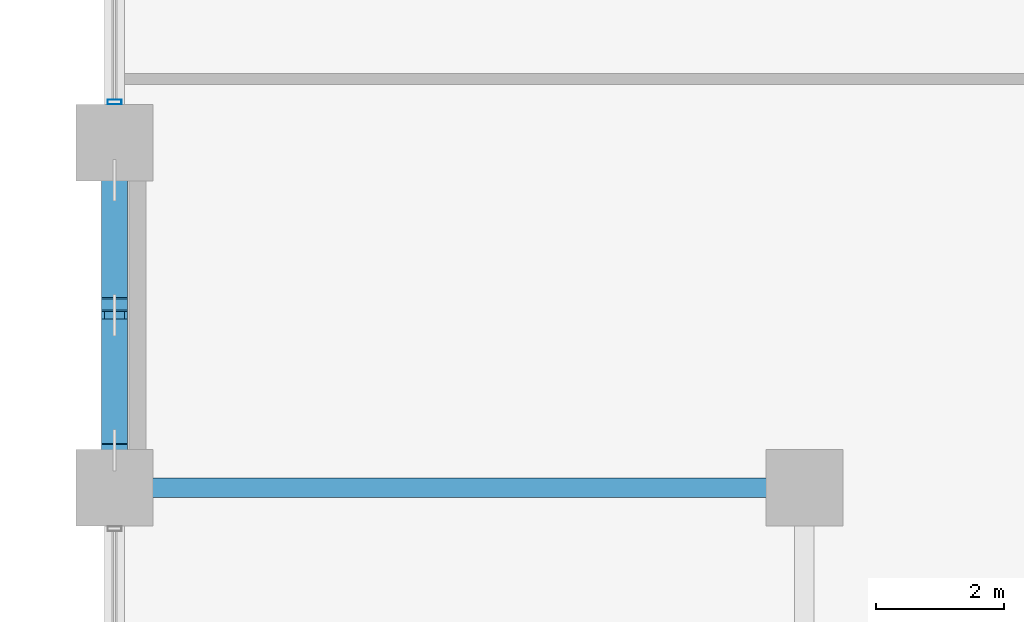
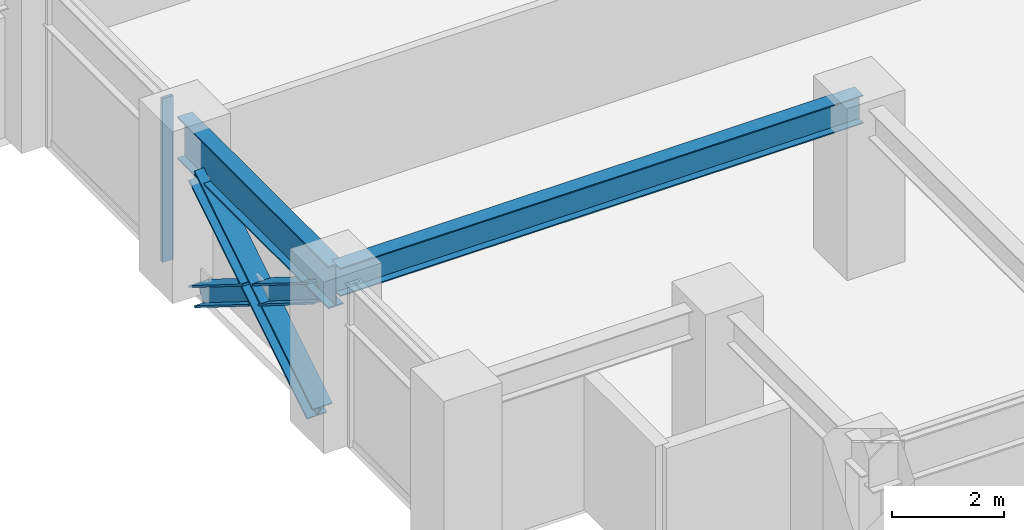
# One storey, part 3 of 26: 4 members, 2 beams, 1 element without a shape of its own.
"""IFC4 building model written with IfcOpenShell, lengths in metres."""

from ifc_helpers import new_model, si_unit, direction, frame, origin, origin_2d, place, context, subcontext, project, spatial, hollow_rectangle, i_section, extrude, material, layer, layer_set, material_profile, profile_set, type_object, element, aggregate, save


model = new_model("IFC4")

# Units and contexts
model_context = context("Model", 3, precision=1e-05, world=origin(), true_north=direction((0.0, 1.0)))
body_context = subcontext(model_context, "Body", "Model", "MODEL_VIEW")
ifc_project = project(units=[si_unit("LENGTHUNIT", "METRE"), si_unit("AREAUNIT", "SQUARE_METRE"), si_unit("VOLUMEUNIT", "CUBIC_METRE"), si_unit("PLANEANGLEUNIT", "RADIAN"), si_unit("MASSUNIT", "GRAM", prefix="KILO")], contexts=[model_context])

# Site, building, storey
site_placement = place(None, origin())
site = spatial("IfcSite", under=ifc_project, at=site_placement, CompositionType="ELEMENT")
building_placement = place(site_placement, origin())
building = spatial("IfcBuilding", under=site, at=building_placement, Name="Surkhivell Harbour Commons", CompositionType="ELEMENT")
storey_placement = place(building_placement, frame((0.0, 0.0, 60.0)))
storey = spatial("IfcBuildingStorey", under=building, at=storey_placement, Name="L15", CompositionType="ELEMENT", Elevation=60.0)

# Beams
ifc_material_1 = material(Name="Steel S355", Category="steel")
ifc_material_profile_1 = material_profile(ifc_material_1, i_section(OverallWidth=0.306884765625, OverallDepth=0.6201171875, WebThickness=0.01416015625, FlangeThickness=0.023681640625, at=origin_2d()), Name="UB610x305x179")
ifc_profile_set_1 = profile_set([ifc_material_profile_1], Name="Steel S355")
beam_type_1 = type_object("IfcBeamType", Name="BM-GRD-610A", PredefinedType="BEAM", material=ifc_profile_set_1)
beam_1_placement = place(storey_placement, frame((-32.39990234375, -16.199951171875, 3.260009765625), z_axis=(1.0, 0.0, 0.0), x_axis=(0.0, 1.0, 0.0)))
element("IfcBeam", 1, at=beam_1_placement, inside=storey, type_object=beam_type_1, Name="L15 Floor Girder (-32.4,-16.2)", PredefinedType="BEAM", context=body_context, shape_type="SweptSolid", body=[
    extrude(i_section(OverallWidth=0.306884765625, OverallDepth=0.6201171875, WebThickness=0.01416015625, FlangeThickness=0.023681640625, at=origin_2d()), origin(), (0.0, 0.0, 1.0), 10.7998046875),
])
ifc_material_2 = material(Name="Steel S460", Category="steel")
ifc_material_profile_2 = material_profile(ifc_material_2, i_section(OverallWidth=0.30810546875, OverallDepth=0.927001953125, WebThickness=0.01953125, FlangeThickness=0.031982421875, at=origin_2d()), Name="UB914x305x289")
ifc_profile_set_2 = profile_set([ifc_material_profile_2], Name="Steel S460")
beam_type_2 = type_object("IfcBeamType", Name="BM-SPN-914B", PredefinedType="SPANDREL", material=ifc_profile_set_2)
beam_2_placement = place(storey_placement, frame((-32.39990234375, -16.199951171875, 3.1064453125), z_axis=(0.0, 1.0, 0.0), x_axis=(-1.0, 0.0, 0.0)))
element("IfcBeam", 2, at=beam_2_placement, inside=storey, type_object=beam_type_2, Name="L15 Tube Spandrel (-32.4,-16.2)", PredefinedType="SPANDREL", context=body_context, shape_type="SweptSolid", body=[
    extrude(i_section(OverallWidth=0.30810546875, OverallDepth=0.927001953125, WebThickness=0.01953125, FlangeThickness=0.031982421875, at=origin_2d()), origin(), (0.0, 0.0, 1.0), 5.39990234375),
])

# Curtain wall, member
ifc_material_3 = material(Name="Anodised pale-metal aluminium and insulated glazing", Category="aluminium")
ifc_layer = layer(ifc_material_3, 0.219970703125)
ifc_layer_set = layer_set([ifc_layer], Name="Anodised pale-metal aluminium and insulated glazing")
curtain_wall_type = type_object("IfcCurtainWallType", Name="CW-SYS-Z1", PredefinedType="NOTDEFINED", material=ifc_layer_set)
curtain_wall_placement = place(storey_placement, origin())
curtain_wall = element("IfcCurtainWall", 3, at=curtain_wall_placement, inside=storey, type_object=curtain_wall_type, Name="L15 Curtain Wall CW-L15-E12R1S2", PredefinedType="NOTDEFINED")
ifc_material_4 = material(Name="Anodised pale-metal aluminium alloy 6063-T6", Category="aluminium")
ifc_material_profile_3 = material_profile(ifc_material_4, hollow_rectangle(XDim=0.074951171875, YDim=0.219970703125, WallThickness=0.00390625, at=origin_2d()), Name="ALU-MULL-75x220")
ifc_profile_set_3 = profile_set([ifc_material_profile_3], Name="Anodised pale-metal aluminium alloy 6063-T6")
member_type_1 = type_object("IfcMemberType", Name="CWM-220", PredefinedType="MULLION", material=ifc_profile_set_3)
member_1_placement = place(storey_placement, frame((-32.39990234375, -10.160400390625, 0.0), z_axis=(0.0, 0.0, 1.0), x_axis=(0.0, 1.0, 0.0)))
member_1 = element("IfcMember", 4, at=member_1_placement, type_object=member_type_1, Name="CW-Z1 mullion 1", PredefinedType="MULLION", context=body_context, shape_type="SweptSolid", body=[
    extrude(hollow_rectangle(XDim=0.074951171875, YDim=0.219970703125, WallThickness=0.00390625, at=origin_2d()), origin(), (0.0, 0.0, 1.0), 3.570068359375),
])
aggregate(curtain_wall, [member_1])

# Members
ifc_material_profile_4 = material_profile(ifc_material_2, i_section(OverallWidth=0.406005859375, OverallDepth=0.416015625, WebThickness=0.026611328125, FlangeThickness=0.0390625, at=origin_2d()), Name="HD400x382")
ifc_profile_set_4 = profile_set([ifc_material_profile_4], Name="Steel S460")
member_type_2 = type_object("IfcMemberType", Name="MEM-BRC-HD382", PredefinedType="BRACE", material=ifc_profile_set_4)
member_2_placement = place(storey_placement, frame((-32.39990234375, -15.614990234375, 0.008056640625), z_axis=(0.0, 0.848432685315, 0.529303295369), x_axis=(-1.0, 0.0, 0.0)))
element("IfcMember", 5, at=member_2_placement, inside=storey, type_object=member_type_2, Name="L15 Perimeter Mega-Brace MB- 10", PredefinedType="BRACE", context=body_context, shape_type="SweptSolid", body=[
    extrude(i_section(OverallWidth=0.406005859375, OverallDepth=0.416015625, WebThickness=0.026611328125, FlangeThickness=0.0390625, at=origin_2d()), origin(), (0.0, 0.0, 1.0), 4.985595703125),
])
member_3_placement = place(storey_placement, frame((-32.39990234375, -11.385009765625, 0.008056640625), z_axis=(0.0, -0.848458555811, 0.529261824688), x_axis=(1.0, 0.0, 0.0)))
element("IfcMember", 6, at=member_3_placement, inside=storey, type_object=member_type_2, Name="L15 Perimeter Mega-Brace MB- 11", PredefinedType="BRACE", context=body_context, shape_type="SweptSolid", body=[
    extrude(i_section(OverallWidth=0.406005859375, OverallDepth=0.416015625, WebThickness=0.026611328125, FlangeThickness=0.0390625, at=origin_2d()), origin(), (0.0, 0.0, 1.0), 2.29296875),
])
member_4_placement = place(storey_placement, frame((-32.39990234375, -13.66943359375, 1.43310546875), z_axis=(0.0, -0.848410744023, 0.529338463958), x_axis=(1.0, 0.0, 0.0)))
element("IfcMember", 7, at=member_4_placement, inside=storey, type_object=member_type_2, Name="L15 Perimeter Mega-Brace MB- 12", PredefinedType="BRACE", context=body_context, shape_type="SweptSolid", body=[
    extrude(i_section(OverallWidth=0.406005859375, OverallDepth=0.416015625, WebThickness=0.026611328125, FlangeThickness=0.0390625, at=origin_2d()), origin(), (0.0, 0.0, 1.0), 2.293212890625),
])

save(model, "model.ifc")
